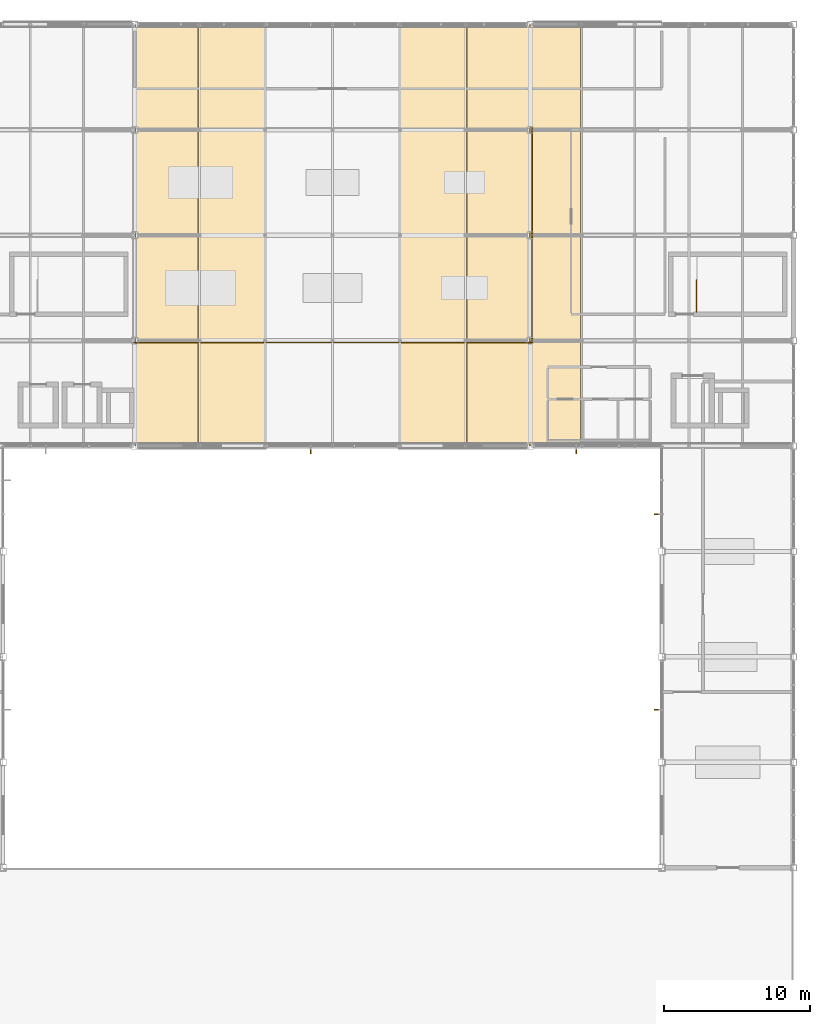
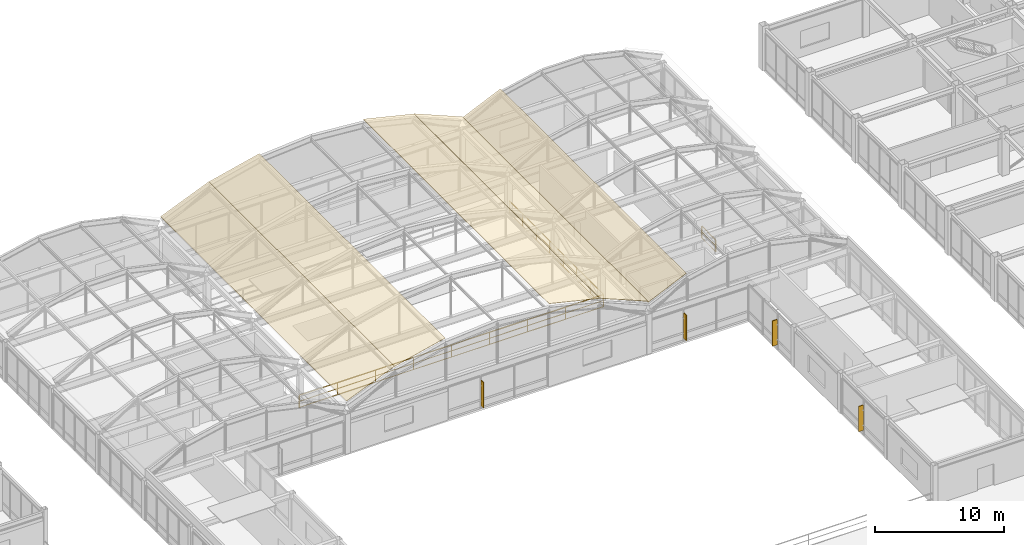
# One storey, part 102 of 106: 5 coverings, 4 shading devices, 3 railings.
"""IFC4 building model written with IfcOpenShell, lengths in metres."""

from ifc_helpers import new_model, si_unit, direction, frame, origin, origin_2d, place, context, subcontext, project, spatial, polyline, rectangle, outline, extrude, material, layer, layer_set, type_object, element, save


model = new_model("IFC4")

# Units and contexts
model_context = context("Model", 3, precision=1e-05, world=origin(), true_north=direction((0.0, 1.0)))
body_context = subcontext(model_context, "Body", "Model", "MODEL_VIEW")
ifc_project = project(units=[si_unit("LENGTHUNIT", "METRE"), si_unit("AREAUNIT", "SQUARE_METRE"), si_unit("VOLUMEUNIT", "CUBIC_METRE"), si_unit("PLANEANGLEUNIT", "RADIAN"), si_unit("MASSUNIT", "GRAM", prefix="KILO")], contexts=[model_context])

# Site, building, storey
site_placement = place(None, origin())
site = spatial("IfcSite", under=ifc_project, at=site_placement, CompositionType="ELEMENT")
building_placement = place(site_placement, origin())
building = spatial("IfcBuilding", under=site, at=building_placement, Name="Kazanami Central Library", CompositionType="ELEMENT")
storey_placement = place(building_placement, frame((0.0, 0.0, 12.800048828125)))
storey = spatial("IfcBuildingStorey", under=building, at=storey_placement, Name="L04", CompositionType="ELEMENT", Elevation=12.800048828125)

# Coverings
ifc_material_1 = material(Name="Standing-Seam Titanium Zinc")
ifc_layer = layer(ifc_material_1, 0.034912109375, Name="Standing-Seam Titanium Zinc")
ifc_layer_set = layer_set([ifc_layer], Name="Standing-Seam Titanium Zinc")
covering_type = type_object("IfcCoveringType", Name="COV-ZNC-35", PredefinedType="ROOFING", material=ifc_layer_set)
covering_1_placement = place(storey_placement, frame((63.0, 64.800048828125, 4.8623046875), z_axis=(-0.383642017948, 0.0, 0.923481890491), x_axis=(0.923481890491, 0.0, 0.383642017948)))
element("IfcCovering", 1, at=covering_1_placement, inside=storey, type_object=covering_type, Name="Standing-Seam Zinc Barrel Vault Roofing VAULT-MAIN Facet 1", PredefinedType="ROOFING", context=body_context, shape_type="SweptSolid", body=[
    extrude(outline(polyline([(0.0, 0.0), (4.667182581630449, 0.0), (4.667182581630449, 28.800048828125007), (0.0, 28.800048828125007), (0.0, 0.0)])), origin(), (0.0, 0.0, -1.0), 0.034912109375),
])
for number, where, z_axis, x_axis, name in (
    (2, (67.31005859375, 64.800048828125, 6.64013671875), (-0.234045597459, 0.0, 0.972225621093), (0.972225621093, 0.0, 0.234045597459), "Standing-Seam Zinc Barrel Vault Roofing VAULT-MAIN Facet 2"),
    (3, (81.152587890625, 64.800048828125, 7.732421875), (0.234045597459, 0.0, 0.972225621093), (0.972225621093, 0.0, -0.234045597459), "Standing-Seam Zinc Barrel Vault Roofing VAULT-MAIN Facet 5"),
):
    element("IfcCovering", number, at=place(storey_placement, frame(where, z_axis=z_axis, x_axis=x_axis)), inside=storey, type_object=covering_type, Name=name, PredefinedType="ROOFING", context=body_context, shape_type="SweptSolid", body=[
        extrude(outline(polyline([(0.0, 0.0), (4.666975871838062, 0.0), (4.666975871838062, 28.800048828125007), (0.0, 28.800048828125007), (0.0, 0.0)])), origin(), (0.0, 0.0, -1.0), 0.034912109375),
    ])
covering_2_placement = place(storey_placement, frame((85.68994140625, 64.800048828125, 6.65283203125), z_axis=(0.383642017948, 0.0, 0.923481890491), x_axis=(0.923481890491, 0.0, -0.383642017948)))
element("IfcCovering", 4, at=covering_2_placement, inside=storey, type_object=covering_type, Name="Standing-Seam Zinc Barrel Vault Roofing VAULT-MAIN Facet 6", PredefinedType="ROOFING", context=body_context, shape_type="SweptSolid", body=[
    extrude(outline(polyline([(0.0, 0.0), (4.667182581630449, 0.0), (4.667182581630449, 28.800048828125007), (0.0, 28.800048828125007), (0.0, 0.0)])), origin(), (0.0, 0.0, -1.0), 0.034912109375),
])
covering_3_placement = place(storey_placement, frame((90.0, 64.800048828125, 4.755859375), z_axis=(-0.412572474631, 0.0, 0.910924779099), x_axis=(0.910924779099, 0.0, 0.412572474631)))
element("IfcCovering", 5, at=covering_3_placement, inside=storey, type_object=covering_type, Name="Standing-Seam Zinc Barrel Vault Roofing VAULT-EAST Facet 1", PredefinedType="ROOFING", context=body_context, shape_type="SweptSolid", body=[
    extrude(outline(polyline([(0.0, 0.0), (3.768277322408299, 0.0), (3.768277322408299, 28.800048828125), (0.0, 28.800048828125), (0.0, 0.0)])), origin(), (0.0, 0.0, -1.0), 0.034912109375),
])

# Railings
ifc_material_2 = material(Name="Stainless Steel SUS304", Category="steel")
railing_type_1 = type_object("IfcRailingType", Name="RAL-GR-A2", PredefinedType="GUARDRAIL", material=ifc_material_2)
railing_1_placement = place(storey_placement, frame((62.8798828125, 71.8798828125, 0.0)))
element("IfcRailing", 6, at=railing_1_placement, inside=storey, type_object=railing_type_1, Name="Main Reading Hall Mezzanine Guard GR-A2 L04 (S)", PredefinedType="GUARDRAIL", context=body_context, shape_type="SweptSolid", body=[
    extrude(rectangle(XDim=0.0439453125, YDim=0.0439453125, at=origin_2d()), frame((0.02587890625, 0.0, 1.157958984375), z_axis=(1.0, 0.0, 0.0), x_axis=(0.0, 1.0, 0.0)), (0.0, 0.0, 1.0), 27.188232421875),
    extrude(rectangle(XDim=0.02392578125, YDim=0.02392578125, at=origin_2d()), frame((0.02587890625, 0.0, 0.015869140625), z_axis=(1.0, 0.0, 0.0), x_axis=(0.0, 1.0, 0.0)), (0.0, 0.0, 1.0), 27.188232421875),
    extrude(rectangle(XDim=0.02392578125, YDim=0.02392578125, at=origin_2d()), frame((0.02587890625, 0.0, 0.58984375), z_axis=(1.0, 0.0, 0.0), x_axis=(0.0, 1.0, 0.0)), (0.0, 0.0, 1.0), 27.188232421875),
    extrude(rectangle(XDim=0.035888671875, YDim=0.035888671875, at=origin_2d()), origin(), (0.0, 0.0, 1.0), 1.132080078125),
    extrude(rectangle(XDim=0.035888671875, YDim=0.035888671875, at=origin_2d()), frame((3.405029296875, 0.0, 0.0)), (0.0, 0.0, 1.0), 1.132080078125),
    extrude(rectangle(XDim=0.035888671875, YDim=0.035888671875, at=origin_2d()), frame((6.81005859375, 0.0, 0.0)), (0.0, 0.0, 1.0), 1.132080078125),
    extrude(rectangle(XDim=0.035888671875, YDim=0.035888671875, at=origin_2d()), frame((10.215087890625, 0.0, 0.0)), (0.0, 0.0, 1.0), 1.132080078125),
    extrude(rectangle(XDim=0.035888671875, YDim=0.035888671875, at=origin_2d()), frame((13.6201171875, 0.0, 0.0)), (0.0, 0.0, 1.0), 1.132080078125),
    extrude(rectangle(XDim=0.035888671875, YDim=0.035888671875, at=origin_2d()), frame((17.025146484375, 0.0, 0.0)), (0.0, 0.0, 1.0), 1.132080078125),
    extrude(rectangle(XDim=0.035888671875, YDim=0.035888671875, at=origin_2d()), frame((20.43017578125, 0.0, 0.0)), (0.0, 0.0, 1.0), 1.132080078125),
    extrude(rectangle(XDim=0.035888671875, YDim=0.035888671875, at=origin_2d()), frame((23.835205078125, 0.0, 0.0)), (0.0, 0.0, 1.0), 1.132080078125),
    extrude(rectangle(XDim=0.035888671875, YDim=0.035888671875, at=origin_2d()), frame((27.240234375, 0.0, 0.0)), (0.0, 0.0, 1.0), 1.132080078125),
])
railing_2_placement = place(storey_placement, frame((90.1201171875, 71.8798828125, 0.0)))
element("IfcRailing", 7, at=railing_2_placement, inside=storey, type_object=railing_type_1, Name="Main Reading Hall Mezzanine Guard GR-A2 L04 (E)", PredefinedType="GUARDRAIL", context=body_context, shape_type="SweptSolid", body=[
    extrude(rectangle(XDim=0.0439453125, YDim=0.0439453125, at=origin_2d()), frame((0.0, 0.02587890625, 1.157958984375), z_axis=(0.0, 1.0, 0.0), x_axis=(-1.0, 0.0, 0.0)), (0.0, 0.0, 1.0), 14.588134765625),
    extrude(rectangle(XDim=0.02392578125, YDim=0.02392578125, at=origin_2d()), frame((0.0, 0.02587890625, 0.015869140625), z_axis=(0.0, 1.0, 0.0), x_axis=(-1.0, 0.0, 0.0)), (0.0, 0.0, 1.0), 14.588134765625),
    extrude(rectangle(XDim=0.02392578125, YDim=0.02392578125, at=origin_2d()), frame((0.0, 0.02587890625, 0.58984375), z_axis=(0.0, 1.0, 0.0), x_axis=(-1.0, 0.0, 0.0)), (0.0, 0.0, 1.0), 14.588134765625),
    extrude(rectangle(XDim=0.035888671875, YDim=0.035888671875, at=origin_2d()), origin(), (0.0, 0.0, 1.0), 1.132080078125),
    extrude(rectangle(XDim=0.035888671875, YDim=0.035888671875, at=origin_2d()), frame((0.0, 2.091552734375, 0.0)), (0.0, 0.0, 1.0), 1.132080078125),
    extrude(rectangle(XDim=0.035888671875, YDim=0.035888671875, at=origin_2d()), frame((0.0, 4.182861328125, 0.0)), (0.0, 0.0, 1.0), 1.132080078125),
    extrude(rectangle(XDim=0.035888671875, YDim=0.035888671875, at=origin_2d()), frame((0.0, 6.2744140625, 0.0)), (0.0, 0.0, 1.0), 1.132080078125),
    extrude(rectangle(XDim=0.035888671875, YDim=0.035888671875, at=origin_2d()), frame((0.0, 8.36572265625, 0.0)), (0.0, 0.0, 1.0), 1.132080078125),
    extrude(rectangle(XDim=0.035888671875, YDim=0.035888671875, at=origin_2d()), frame((0.0, 10.457275390625, 0.0)), (0.0, 0.0, 1.0), 1.132080078125),
    extrude(rectangle(XDim=0.035888671875, YDim=0.035888671875, at=origin_2d()), frame((0.0, 12.548583984375, 0.0)), (0.0, 0.0, 1.0), 1.132080078125),
    extrude(rectangle(XDim=0.035888671875, YDim=0.035888671875, at=origin_2d()), frame((0.0, 14.64013671875, 0.0)), (0.0, 0.0, 1.0), 1.132080078125),
])
railing_type_2 = type_object("IfcRailingType", Name="RAL-GR-S1", PredefinedType="GUARDRAIL", material=ifc_material_2)
railing_3_placement = place(storey_placement, frame((101.360107421875, 73.969970703125, 0.0)))
element("IfcRailing", 8, at=railing_3_placement, inside=storey, type_object=railing_type_2, Name="Stair Well Guard ST-04 L04", PredefinedType="GUARDRAIL", context=body_context, shape_type="SweptSolid", body=[
    extrude(rectangle(XDim=0.0439453125, YDim=0.0439453125, at=origin_2d()), frame((0.0, 0.02587890625, 1.1279296875), z_axis=(0.0, 1.0, 0.0), x_axis=(-1.0, 0.0, 0.0)), (0.0, 0.0, 1.0), 2.10791015625),
    extrude(rectangle(XDim=0.02392578125, YDim=0.02392578125, at=origin_2d()), frame((0.0, 0.02587890625, 0.015869140625), z_axis=(0.0, 1.0, 0.0), x_axis=(-1.0, 0.0, 0.0)), (0.0, 0.0, 1.0), 2.10791015625),
    extrude(rectangle(XDim=0.02392578125, YDim=0.02392578125, at=origin_2d()), frame((0.0, 0.02587890625, 0.574951171875), z_axis=(0.0, 1.0, 0.0), x_axis=(-1.0, 0.0, 0.0)), (0.0, 0.0, 1.0), 2.10791015625),
    extrude(rectangle(XDim=0.035888671875, YDim=0.035888671875, at=origin_2d()), origin(), (0.0, 0.0, 1.0), 1.10205078125),
    extrude(rectangle(XDim=0.035888671875, YDim=0.035888671875, at=origin_2d()), frame((0.0, 2.159912109375, 0.0)), (0.0, 0.0, 1.0), 1.10205078125),
])

# Shading devices
ifc_material_3 = material(Name="Anodised Bronze-Grey Aluminium A6063-T5", Category="aluminium")
shading_device_type = type_object("IfcShadingDeviceType", Name="SHD-FIN-2", PredefinedType="USERDEFINED", material=ifc_material_3)
for number, where, z_axis, x_axis, name in (
    (9, (75.0, 64.469970703125, 0.340087890625), (0.0, 0.0, 1.0), (1.0, 0.0, 0.0), "Vertical Solar Fin SF-02 L04 S-K-08.1"),
    (10, (93.14990234375, 64.469970703125, 0.340087890625), (0.0, 0.0, 1.0), (1.0, 0.0, 0.0), "Vertical Solar Fin SF-02 L04 S-K-10.1"),
    (11, (98.669921875, 46.800048828125, 0.465087890625), (0.0, 0.0, 1.0), (0.0, 1.0, 0.0), "Vertical Solar Fin SF-02 L04 W-12-06.1"),
    (12, (98.669921875, 60.14990234375, 0.465087890625), (0.0, 0.0, 1.0), (0.0, 1.0, 0.0), "Vertical Solar Fin SF-02 L04 W-12-08.1"),
):
    element("IfcShadingDevice", number, at=place(storey_placement, frame(where, z_axis=z_axis, x_axis=x_axis)), inside=storey, type_object=shading_device_type, Name=name, ObjectType="SOLAR FIN", PredefinedType="USERDEFINED", context=body_context, shape_type="SweptSolid", body=[
        extrude(rectangle(XDim=0.06494140625, YDim=0.419921875, at=origin_2d()), origin(), (0.0, 0.0, 1.0), 2.39990234375),
    ])

save(model, "model.ifc")
